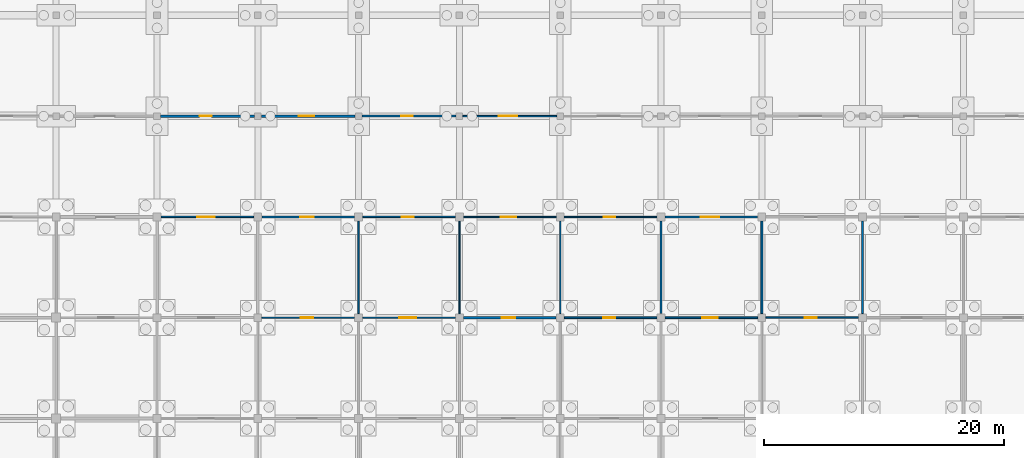
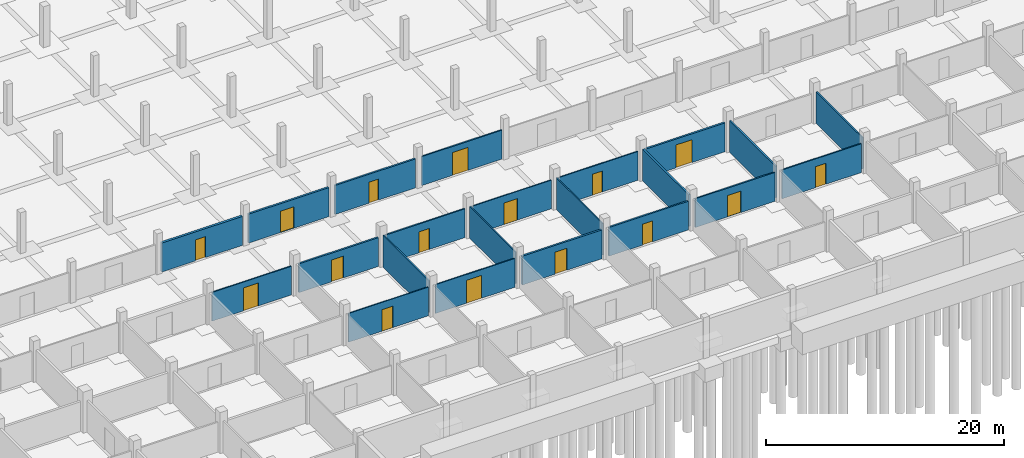
# One storey, part 23 of 43: 22 walls, 16 doors, 16 openings.
"""IFC4 building model written with IfcOpenShell, lengths in metres."""

from ifc_helpers import new_model, si_unit, direction, frame, frame_2d, origin, place, context, subcontext, project, spatial, rectangle, extrude, material, layer, layer_set, type_object, element, fill, save


model = new_model("IFC4")

# Units and contexts
model_context = context("Model", 3, precision=1e-05, world=origin(), true_north=direction((0.0, 1.0)))
body_context = subcontext(model_context, "Body", "Model", "MODEL_VIEW")
ifc_project = project(units=[si_unit("LENGTHUNIT", "METRE"), si_unit("AREAUNIT", "SQUARE_METRE"), si_unit("VOLUMEUNIT", "CUBIC_METRE"), si_unit("PLANEANGLEUNIT", "RADIAN"), si_unit("MASSUNIT", "GRAM", prefix="KILO")], contexts=[model_context])

# Site, building, storey
site_placement = place(None, origin())
site = spatial("IfcSite", under=ifc_project, at=site_placement, CompositionType="ELEMENT")
building_placement = place(site_placement, origin())
building = spatial("IfcBuilding", under=site, at=building_placement, Name="Varnapada Polytechnic", CompositionType="ELEMENT")
storey_placement = place(building_placement, frame((0.0, 0.0, -4.199951171875)))
storey = spatial("IfcBuildingStorey", under=building, at=storey_placement, Name="B1", CompositionType="ELEMENT", Elevation=-4.199951171875)

# Wall, opening, door
ifc_material_1 = material(Name="Gypsum Plasterboard Acoustic Partition")
ifc_layer_1 = layer(ifc_material_1, 0.125)
ifc_layer_set_1 = layer_set([ifc_layer_1], Name="Gypsum Plasterboard Acoustic Partition")
wall_type_1 = type_object("IfcWallType", Name="Interior Wall IW-03", PredefinedType="PARTITIONING", material=ifc_layer_set_1)
wall_1_placement = place(storey_placement, frame((109.544921875, 33.60009765625, 0.0), z_axis=(0.0, 0.0, 1.0), x_axis=(1.0, 0.0, 0.0)))
wall_1 = element("IfcWall", 1, at=wall_1_placement, inside=storey, type_object=wall_type_1, Name="B1 interior partition IW-B1-13-03-H", PredefinedType="PARTITIONING", context=body_context, shape_type="SweptSolid", body=[
    extrude(rectangle(XDim=7.7099609375, YDim=0.125, at=frame_2d((3.85498046875, 0.0))), origin(), (0.0, 0.0, 1.0), 2.949951171875),
])
opening_1_placement = place(wall_1_placement, frame((3.25, 0.0, 0.0)))
opening_1 = element("IfcOpeningElement", 2, at=opening_1_placement, cuts=wall_1, Name="Opening D-731", PredefinedType="OPENING", context=body_context, shape_type="SweptSolid", body=[
    extrude(rectangle(XDim=1.0, YDim=2.14990234375, at=frame_2d((0.5, 1.074951171875))), frame((0.0, 0.072509765625, 0.0), z_axis=(0.0, -1.0, 0.0), x_axis=(1.0, 0.0, 0.0)), (0.0, 0.0, 1.0), 0.14501953125),
])
ifc_material_2 = material(Name="Solid Teak Hardwood Timber", Category="wood")
door_type_1 = type_object("IfcDoorType", Name="Interior Door ID-02", OperationType="NOTDEFINED", PredefinedType="DOOR", material=ifc_material_2)
door_1_placement = place(opening_1_placement, frame((1.0, 0.0, 0.0), z_axis=(0.0, 0.0, 1.0), x_axis=(-1.0, 0.0, 0.0)))
door_1 = element("IfcDoor", 3, at=door_1_placement, inside=storey, type_object=door_type_1, Name="B1 interior room door D-731", OperationType="SINGLE_SWING_RIGHT", OverallHeight=2.14990234375, OverallWidth=1.0, PredefinedType="DOOR", context=body_context, shape_type="SweptSolid", body=[
    extrude(rectangle(XDim=1.0, YDim=2.14990234375, at=frame_2d((0.5, 1.074951171875))), frame((0.0, 0.02490234375, 0.0), z_axis=(0.0, -1.0, 0.0), x_axis=(1.0, 0.0, 0.0)), (0.0, 0.0, 1.0), 0.050048828125),
])
fill(opening_1, door_1)

ifc_material_3 = material(Name="Moisture-Resistant Cement Board Partition")
ifc_layer_2 = layer(ifc_material_3, 0.139892578125)
ifc_layer_set_2 = layer_set([ifc_layer_2], Name="Moisture-Resistant Cement Board Partition")
wall_type_2 = type_object("IfcWallType", Name="Interior Wall IW-04", PredefinedType="PARTITIONING", material=ifc_layer_set_2)
wall_2_placement = place(storey_placement, frame((101.14501953125, 33.60009765625, 0.0), z_axis=(0.0, 0.0, 1.0), x_axis=(1.0, 0.0, 0.0)))
wall_2 = element("IfcWall", 4, at=wall_2_placement, inside=storey, type_object=wall_type_2, Name="B1 interior partition IW-B1-12-03-H", PredefinedType="PARTITIONING", context=body_context, shape_type="SweptSolid", body=[
    extrude(rectangle(XDim=7.7099609375, YDim=0.139892578125, at=frame_2d((3.85498046875, 0.0))), origin(), (0.0, 0.0, 1.0), 2.949951171875),
])
opening_2_placement = place(wall_2_placement, frame((3.10009765625, 0.0, 0.0)))
opening_2 = element("IfcOpeningElement", 5, at=opening_2_placement, cuts=wall_2, Name="Opening D-723", PredefinedType="OPENING", context=body_context, shape_type="SweptSolid", body=[
    extrude(rectangle(XDim=1.300048828125, YDim=2.199951171875, at=frame_2d((0.64990234375, 1.10009765625))), frame((0.0, 0.079833984375, 0.0), z_axis=(0.0, -1.0, 0.0), x_axis=(1.0, 0.0, 0.0)), (0.0, 0.0, 1.0), 0.159912109375),
])
ifc_material_4 = material(Name="Acoustic Laminated Timber Leaf", Category="wood")
door_type_2 = type_object("IfcDoorType", Name="Interior Door ID-11", OperationType="NOTDEFINED", PredefinedType="DOOR", material=ifc_material_4)
door_2_placement = place(opening_2_placement, origin())
door_2 = element("IfcDoor", 6, at=door_2_placement, inside=storey, type_object=door_type_2, Name="B1 interior room door D-723", OperationType="SINGLE_SWING_RIGHT", OverallHeight=2.199951171875, OverallWidth=1.300048828125, PredefinedType="DOOR", context=body_context, shape_type="SweptSolid", body=[
    extrude(rectangle(XDim=1.300048828125, YDim=2.199951171875, at=frame_2d((0.64990234375, 1.10009765625))), frame((0.0, 0.02490234375, 0.0), z_axis=(0.0, -1.0, 0.0), x_axis=(1.0, 0.0, 0.0)), (0.0, 0.0, 1.0), 0.050048828125),
])
fill(opening_2, door_2)

# Wall
wall_3_placement = place(storey_placement, frame((117.60009765625, 33.945068359375, 0.0), z_axis=(0.0, 0.0, 1.0), x_axis=(0.0, 1.0, 0.0)))
element("IfcWall", 7, at=wall_3_placement, inside=storey, type_object=wall_type_2, Name="B1 interior partition IW-B1-13-04-V", PredefinedType="PARTITIONING", context=body_context, shape_type="SweptSolid", body=[
    extrude(rectangle(XDim=7.7099609375, YDim=0.139892578125, at=frame_2d((3.85498046875, 0.0))), origin(), (0.0, 0.0, 1.0), 3.25),
])

# Wall, opening, door
ifc_material_5 = material(Name="Cross-laminated timber CLT C24", Category="wood")
ifc_layer_3 = layer(ifc_material_5, 0.159912109375)
ifc_layer_set_3 = layer_set([ifc_layer_3], Name="Cross-laminated timber CLT C24")
wall_type_3 = type_object("IfcWallType", Name="Interior Wall IW-05", PredefinedType="PARTITIONING", material=ifc_layer_set_3)
wall_4_placement = place(storey_placement, frame((92.7451171875, 33.60009765625, 0.0), z_axis=(0.0, 0.0, 1.0), x_axis=(1.0, 0.0, 0.0)))
wall_4 = element("IfcWall", 8, at=wall_4_placement, inside=storey, type_object=wall_type_3, Name="B1 interior partition IW-B1-11-03-H", PredefinedType="PARTITIONING", context=body_context, shape_type="SweptSolid", body=[
    extrude(rectangle(XDim=7.7099609375, YDim=0.159912109375, at=frame_2d((3.85498046875, 0.0))), origin(), (0.0, 0.0, 1.0), 2.949951171875),
])
opening_3_placement = place(wall_4_placement, frame((3.25, 0.0, 0.0)))
opening_3 = element("IfcOpeningElement", 9, at=opening_3_placement, cuts=wall_4, Name="Opening D-714", PredefinedType="OPENING", context=body_context, shape_type="SweptSolid", body=[
    extrude(rectangle(XDim=1.0, YDim=2.14990234375, at=frame_2d((0.5, 1.074951171875))), frame((0.0, 0.08984375, 0.0), z_axis=(0.0, -1.0, 0.0), x_axis=(1.0, 0.0, 0.0)), (0.0, 0.0, 1.0), 0.179931640625),
])
door_3_placement = place(opening_3_placement, origin())
door_3 = element("IfcDoor", 10, at=door_3_placement, inside=storey, type_object=door_type_1, Name="B1 interior room door D-714", OperationType="SINGLE_SWING_LEFT", OverallHeight=2.14990234375, OverallWidth=1.0, PredefinedType="DOOR", context=body_context, shape_type="SweptSolid", body=[
    extrude(rectangle(XDim=1.0, YDim=2.14990234375, at=frame_2d((0.5, 1.074951171875))), frame((0.0, 0.02490234375, 0.0), z_axis=(0.0, -1.0, 0.0), x_axis=(1.0, 0.0, 0.0)), (0.0, 0.0, 1.0), 0.050048828125),
])
fill(opening_3, door_3)

# Wall
wall_5_placement = place(storey_placement, frame((109.199951171875, 33.945068359375, 0.0), z_axis=(0.0, 0.0, 1.0), x_axis=(0.0, 1.0, 0.0)))
element("IfcWall", 11, at=wall_5_placement, inside=storey, type_object=wall_type_3, Name="B1 interior partition IW-B1-12-04-V", PredefinedType="PARTITIONING", context=body_context, shape_type="SweptSolid", body=[
    extrude(rectangle(XDim=7.7099609375, YDim=0.159912109375, at=frame_2d((3.85498046875, 0.0))), origin(), (0.0, 0.0, 1.0), 3.25),
])

# Wall, opening, door
ifc_material_6 = material(Name="Acoustic Double-Stud Studio Partition")
ifc_layer_4 = layer(ifc_material_6, 0.179931640625)
ifc_layer_set_4 = layer_set([ifc_layer_4], Name="Acoustic Double-Stud Studio Partition")
wall_type_4 = type_object("IfcWallType", Name="Interior Wall IW-06", PredefinedType="PARTITIONING", material=ifc_layer_set_4)
wall_6_placement = place(storey_placement, frame((84.344970703125, 33.60009765625, 0.0), z_axis=(0.0, 0.0, 1.0), x_axis=(1.0, 0.0, 0.0)))
wall_6 = element("IfcWall", 12, at=wall_6_placement, inside=storey, type_object=wall_type_4, Name="B1 interior partition IW-B1-10-03-H", PredefinedType="PARTITIONING", context=body_context, shape_type="SweptSolid", body=[
    extrude(rectangle(XDim=7.7099609375, YDim=0.179931640625, at=frame_2d((3.85498046875, 0.0))), origin(), (0.0, 0.0, 1.0), 2.949951171875),
])
opening_4_placement = place(wall_6_placement, frame((3.175048828125, 0.0, 0.0)))
opening_4 = element("IfcOpeningElement", 13, at=opening_4_placement, cuts=wall_6, Name="Opening D-705", PredefinedType="OPENING", context=body_context, shape_type="SweptSolid", body=[
    extrude(rectangle(XDim=1.14990234375, YDim=2.25, at=frame_2d((0.574951171875, 1.125))), frame((0.0, 0.099853515625, 0.0), z_axis=(0.0, -1.0, 0.0), x_axis=(1.0, 0.0, 0.0)), (0.0, 0.0, 1.0), 0.199951171875),
])
ifc_material_7 = material(Name="Powder-Coated Aluminium 6063-T6", Category="aluminium")
door_type_3 = type_object("IfcDoorType", Name="Interior Door ID-10", OperationType="NOTDEFINED", PredefinedType="DOOR", material=ifc_material_7)
door_4_placement = place(opening_4_placement, origin())
door_4 = element("IfcDoor", 14, at=door_4_placement, inside=storey, type_object=door_type_3, Name="B1 interior room door D-705", OperationType="SINGLE_SWING_RIGHT", OverallHeight=2.25, OverallWidth=1.14990234375, PredefinedType="DOOR", context=body_context, shape_type="SweptSolid", body=[
    extrude(rectangle(XDim=1.14990234375, YDim=2.25, at=frame_2d((0.574951171875, 1.125))), frame((0.0, 0.02490234375, 0.0), z_axis=(0.0, -1.0, 0.0), x_axis=(1.0, 0.0, 0.0)), (0.0, 0.0, 1.0), 0.050048828125),
])
fill(opening_4, door_4)

# Wall
wall_7_placement = place(storey_placement, frame((100.800048828125, 33.945068359375, 0.0), z_axis=(0.0, 0.0, 1.0), x_axis=(0.0, 1.0, 0.0)))
element("IfcWall", 15, at=wall_7_placement, inside=storey, type_object=wall_type_4, Name="B1 interior partition IW-B1-11-04-V", PredefinedType="PARTITIONING", context=body_context, shape_type="SweptSolid", body=[
    extrude(rectangle(XDim=7.7099609375, YDim=0.179931640625, at=frame_2d((3.85498046875, 0.0))), origin(), (0.0, 0.0, 1.0), 3.25),
])

# Wall, opening, door
wall_8_placement = place(storey_placement, frame((101.14501953125, 42.0, 0.0), z_axis=(0.0, 0.0, 1.0), x_axis=(1.0, 0.0, 0.0)))
wall_8 = element("IfcWall", 16, at=wall_8_placement, inside=storey, type_object=wall_type_4, Name="B1 interior partition IW-B1-12-04-H", PredefinedType="PARTITIONING", context=body_context, shape_type="SweptSolid", body=[
    extrude(rectangle(XDim=7.7099609375, YDim=0.179931640625, at=frame_2d((3.85498046875, 0.0))), origin(), (0.0, 0.0, 1.0), 2.949951171875),
])
opening_5_placement = place(wall_8_placement, frame((2.97509765625, 0.0, 0.0)))
opening_5 = element("IfcOpeningElement", 17, at=opening_5_placement, cuts=wall_8, Name="Opening D-724", PredefinedType="OPENING", context=body_context, shape_type="SweptSolid", body=[
    extrude(rectangle(XDim=1.550048828125, YDim=2.35009765625, at=frame_2d((0.77490234375, 1.175048828125))), frame((0.0, 0.099853515625, 0.0), z_axis=(0.0, -1.0, 0.0), x_axis=(1.0, 0.0, 0.0)), (0.0, 0.0, 1.0), 0.199951171875),
])
ifc_material_8 = material(Name="Galvanized Steel Z275", Category="steel")
door_type_4 = type_object("IfcDoorType", Name="Interior Door ID-12", OperationType="NOTDEFINED", PredefinedType="DOOR", material=ifc_material_8)
door_5_placement = place(opening_5_placement, origin())
door_5 = element("IfcDoor", 18, at=door_5_placement, inside=storey, type_object=door_type_4, Name="B1 interior room door D-724", OperationType="SINGLE_SWING_LEFT", OverallHeight=2.35009765625, OverallWidth=1.550048828125, PredefinedType="DOOR", context=body_context, shape_type="SweptSolid", body=[
    extrude(rectangle(XDim=1.550048828125, YDim=2.35009765625, at=frame_2d((0.77490234375, 1.175048828125))), frame((0.0, 0.02490234375, 0.0), z_axis=(0.0, -1.0, 0.0), x_axis=(1.0, 0.0, 0.0)), (0.0, 0.0, 1.0), 0.050048828125),
])
fill(opening_5, door_5)

ifc_material_9 = material(Name="Glazed Timber-Framed Studio Screen", Category="wood")
ifc_layer_5 = layer(ifc_material_9, 0.110107421875)
ifc_layer_set_5 = layer_set([ifc_layer_5], Name="Glazed Timber-Framed Studio Screen")
wall_type_5 = type_object("IfcWallType", Name="Interior Wall IW-07", PredefinedType="PARTITIONING", material=ifc_layer_set_5)
wall_9_placement = place(storey_placement, frame((75.945068359375, 33.60009765625, 0.0), z_axis=(0.0, 0.0, 1.0), x_axis=(1.0, 0.0, 0.0)))
wall_9 = element("IfcWall", 19, at=wall_9_placement, inside=storey, type_object=wall_type_5, Name="B1 interior partition IW-B1-09-03-H", PredefinedType="PARTITIONING", context=body_context, shape_type="SweptSolid", body=[
    extrude(rectangle(XDim=7.7099609375, YDim=0.110107421875, at=frame_2d((3.85498046875, 0.0))), origin(), (0.0, 0.0, 1.0), 2.949951171875),
])
opening_6_placement = place(wall_9_placement, frame((3.02490234375, 0.0, 0.0)))
opening_6 = element("IfcOpeningElement", 20, at=opening_6_placement, cuts=wall_9, Name="Opening D-696", PredefinedType="OPENING", context=body_context, shape_type="SweptSolid", body=[
    extrude(rectangle(XDim=1.449951171875, YDim=2.35009765625, at=frame_2d((0.72509765625, 1.175048828125))), frame((0.0, 0.06494140625, 0.0), z_axis=(0.0, -1.0, 0.0), x_axis=(1.0, 0.0, 0.0)), (0.0, 0.0, 1.0), 0.130126953125),
])
door_type_5 = type_object("IfcDoorType", Name="Interior Door ID-18", OperationType="NOTDEFINED", PredefinedType="DOOR", material=ifc_material_8)
door_6_placement = place(opening_6_placement, origin())
door_6 = element("IfcDoor", 21, at=door_6_placement, inside=storey, type_object=door_type_5, Name="B1 interior room door D-696", OperationType="SINGLE_SWING_LEFT", OverallHeight=2.35009765625, OverallWidth=1.449951171875, PredefinedType="DOOR", context=body_context, shape_type="SweptSolid", body=[
    extrude(rectangle(XDim=1.449951171875, YDim=2.35009765625, at=frame_2d((0.72509765625, 1.175048828125))), frame((0.0, 0.02490234375, 0.0), z_axis=(0.0, -1.0, 0.0), x_axis=(1.0, 0.0, 0.0)), (0.0, 0.0, 1.0), 0.050048828125),
])
fill(opening_6, door_6)

# Wall
wall_10_placement = place(storey_placement, frame((92.39990234375, 33.945068359375, 0.0), z_axis=(0.0, 0.0, 1.0), x_axis=(0.0, 1.0, 0.0)))
element("IfcWall", 22, at=wall_10_placement, inside=storey, type_object=wall_type_5, Name="B1 interior partition IW-B1-10-04-V", PredefinedType="PARTITIONING", context=body_context, shape_type="SweptSolid", body=[
    extrude(rectangle(XDim=7.7099609375, YDim=0.110107421875, at=frame_2d((3.85498046875, 0.0))), origin(), (0.0, 0.0, 1.0), 3.25),
])

# Wall, opening, door
wall_11_placement = place(storey_placement, frame((92.7451171875, 42.0, 0.0), z_axis=(0.0, 0.0, 1.0), x_axis=(1.0, 0.0, 0.0)))
wall_11 = element("IfcWall", 23, at=wall_11_placement, inside=storey, type_object=wall_type_5, Name="B1 interior partition IW-B1-11-04-H", PredefinedType="PARTITIONING", context=body_context, shape_type="SweptSolid", body=[
    extrude(rectangle(XDim=7.7099609375, YDim=0.110107421875, at=frame_2d((3.85498046875, 0.0))), origin(), (0.0, 0.0, 1.0), 2.949951171875),
])
opening_7_placement = place(wall_11_placement, frame((3.27490234375, 0.0, 0.0)))
opening_7 = element("IfcOpeningElement", 24, at=opening_7_placement, cuts=wall_11, Name="Opening D-715", PredefinedType="OPENING", context=body_context, shape_type="SweptSolid", body=[
    extrude(rectangle(XDim=0.949951171875, YDim=2.14990234375, at=frame_2d((0.47509765625, 1.074951171875))), frame((0.0, 0.06494140625, 0.0), z_axis=(0.0, -1.0, 0.0), x_axis=(1.0, 0.0, 0.0)), (0.0, 0.0, 1.0), 0.130126953125),
])
ifc_material_10 = material(Name="Moisture-Resistant HPL Timber", Category="wood")
door_type_6 = type_object("IfcDoorType", Name="Interior Door ID-03", OperationType="NOTDEFINED", PredefinedType="DOOR", material=ifc_material_10)
door_7_placement = place(opening_7_placement, origin())
door_7 = element("IfcDoor", 25, at=door_7_placement, inside=storey, type_object=door_type_6, Name="B1 interior room door D-715", OperationType="SINGLE_SWING_RIGHT", OverallHeight=2.14990234375, OverallWidth=0.949951171875, PredefinedType="DOOR", context=body_context, shape_type="SweptSolid", body=[
    extrude(rectangle(XDim=0.949951171875, YDim=2.14990234375, at=frame_2d((0.47509765625, 1.074951171875))), frame((0.0, 0.02490234375, 0.0), z_axis=(0.0, -1.0, 0.0), x_axis=(1.0, 0.0, 0.0)), (0.0, 0.0, 1.0), 0.050048828125),
])
fill(opening_7, door_7)

ifc_material_11 = material(Name="Operable Acoustic Seminar Partition")
ifc_layer_6 = layer(ifc_material_11, 0.10009765625)
ifc_layer_set_6 = layer_set([ifc_layer_6], Name="Operable Acoustic Seminar Partition")
wall_type_6 = type_object("IfcWallType", Name="Interior Wall IW-08", PredefinedType="MOVABLE", material=ifc_layer_set_6)
wall_12_placement = place(storey_placement, frame((67.544921875, 33.60009765625, 0.0), z_axis=(0.0, 0.0, 1.0), x_axis=(1.0, 0.0, 0.0)))
wall_12 = element("IfcWall", 26, at=wall_12_placement, inside=storey, type_object=wall_type_6, Name="B1 interior partition IW-B1-08-03-H", PredefinedType="MOVABLE", context=body_context, shape_type="SweptSolid", body=[
    extrude(rectangle(XDim=7.7099609375, YDim=0.10009765625, at=frame_2d((3.85498046875, 0.0))), origin(), (0.0, 0.0, 1.0), 2.949951171875),
])
opening_8_placement = place(wall_12_placement, frame((3.22509765625, 0.0, 0.0)))
opening_8 = element("IfcOpeningElement", 27, at=opening_8_placement, cuts=wall_12, Name="Opening D-687", PredefinedType="OPENING", context=body_context, shape_type="SweptSolid", body=[
    extrude(rectangle(XDim=1.050048828125, YDim=2.199951171875, at=frame_2d((0.52490234375, 1.10009765625))), frame((0.0, 0.06005859375, 0.0), z_axis=(0.0, -1.0, 0.0), x_axis=(1.0, 0.0, 0.0)), (0.0, 0.0, 1.0), 0.1201171875),
])
door_type_7 = type_object("IfcDoorType", Name="Interior Door ID-09", OperationType="NOTDEFINED", PredefinedType="DOOR", material=ifc_material_2)
door_8_placement = place(opening_8_placement, origin())
door_8 = element("IfcDoor", 28, at=door_8_placement, inside=storey, type_object=door_type_7, Name="B1 interior room door D-687", OperationType="SINGLE_SWING_RIGHT", OverallHeight=2.199951171875, OverallWidth=1.050048828125, PredefinedType="DOOR", context=body_context, shape_type="SweptSolid", body=[
    extrude(rectangle(XDim=1.050048828125, YDim=2.199951171875, at=frame_2d((0.52490234375, 1.10009765625))), frame((0.0, 0.02490234375, 0.0), z_axis=(0.0, -1.0, 0.0), x_axis=(1.0, 0.0, 0.0)), (0.0, 0.0, 1.0), 0.050048828125),
])
fill(opening_8, door_8)

# Wall
wall_13_placement = place(storey_placement, frame((84.0, 33.945068359375, 0.0), z_axis=(0.0, 0.0, 1.0), x_axis=(0.0, 1.0, 0.0)))
element("IfcWall", 29, at=wall_13_placement, inside=storey, type_object=wall_type_6, Name="B1 interior partition IW-B1-09-04-V", PredefinedType="MOVABLE", context=body_context, shape_type="SweptSolid", body=[
    extrude(rectangle(XDim=7.7099609375, YDim=0.10009765625, at=frame_2d((3.85498046875, 0.0))), origin(), (0.0, 0.0, 1.0), 3.25),
])

# Wall, opening, door
wall_14_placement = place(storey_placement, frame((84.344970703125, 42.0, 0.0), z_axis=(0.0, 0.0, 1.0), x_axis=(1.0, 0.0, 0.0)))
wall_14 = element("IfcWall", 30, at=wall_14_placement, inside=storey, type_object=wall_type_6, Name="B1 interior partition IW-B1-10-04-H", PredefinedType="MOVABLE", context=body_context, shape_type="SweptSolid", body=[
    extrude(rectangle(XDim=7.7099609375, YDim=0.10009765625, at=frame_2d((3.85498046875, 0.0))), origin(), (0.0, 0.0, 1.0), 2.949951171875),
])
opening_9_placement = place(wall_14_placement, frame((3.10009765625, 0.0, 0.0)))
opening_9 = element("IfcOpeningElement", 31, at=opening_9_placement, cuts=wall_14, Name="Opening D-706", PredefinedType="OPENING", context=body_context, shape_type="SweptSolid", body=[
    extrude(rectangle(XDim=1.300048828125, YDim=2.199951171875, at=frame_2d((0.64990234375, 1.10009765625))), frame((0.0, 0.06005859375, 0.0), z_axis=(0.0, -1.0, 0.0), x_axis=(1.0, 0.0, 0.0)), (0.0, 0.0, 1.0), 0.1201171875),
])
door_9_placement = place(opening_9_placement, origin())
door_9 = element("IfcDoor", 32, at=door_9_placement, inside=storey, type_object=door_type_2, Name="B1 interior room door D-706", OperationType="SINGLE_SWING_LEFT", OverallHeight=2.199951171875, OverallWidth=1.300048828125, PredefinedType="DOOR", context=body_context, shape_type="SweptSolid", body=[
    extrude(rectangle(XDim=1.300048828125, YDim=2.199951171875, at=frame_2d((0.64990234375, 1.10009765625))), frame((0.0, 0.02490234375, 0.0), z_axis=(0.0, -1.0, 0.0), x_axis=(1.0, 0.0, 0.0)), (0.0, 0.0, 1.0), 0.050048828125),
])
fill(opening_9, door_9)

# Wall
ifc_material_12 = material(Name="Calcium Silicate Acoustic Lab Partition")
ifc_layer_7 = layer(ifc_material_12, 0.135009765625)
ifc_layer_set_7 = layer_set([ifc_layer_7], Name="Calcium Silicate Acoustic Lab Partition")
wall_type_7 = type_object("IfcWallType", Name="Interior Wall IW-09", PredefinedType="PARTITIONING", material=ifc_layer_set_7)
wall_15_placement = place(storey_placement, frame((75.60009765625, 33.945068359375, 0.0), z_axis=(0.0, 0.0, 1.0), x_axis=(0.0, 1.0, 0.0)))
element("IfcWall", 33, at=wall_15_placement, inside=storey, type_object=wall_type_7, Name="B1 interior partition IW-B1-08-04-V", PredefinedType="PARTITIONING", context=body_context, shape_type="SweptSolid", body=[
    extrude(rectangle(XDim=7.7099609375, YDim=0.135009765625, at=frame_2d((3.85498046875, 0.0))), origin(), (0.0, 0.0, 1.0), 3.25),
])

# Wall, opening, door
wall_16_placement = place(storey_placement, frame((75.945068359375, 42.0, 0.0), z_axis=(0.0, 0.0, 1.0), x_axis=(1.0, 0.0, 0.0)))
wall_16 = element("IfcWall", 34, at=wall_16_placement, inside=storey, type_object=wall_type_7, Name="B1 interior partition IW-B1-09-04-H", PredefinedType="PARTITIONING", context=body_context, shape_type="SweptSolid", body=[
    extrude(rectangle(XDim=7.7099609375, YDim=0.135009765625, at=frame_2d((3.85498046875, 0.0))), origin(), (0.0, 0.0, 1.0), 2.949951171875),
])
opening_10_placement = place(wall_16_placement, frame((3.25, 0.0, 0.0)))
opening_10 = element("IfcOpeningElement", 35, at=opening_10_placement, cuts=wall_16, Name="Opening D-697", PredefinedType="OPENING", context=body_context, shape_type="SweptSolid", body=[
    extrude(rectangle(XDim=1.0, YDim=2.14990234375, at=frame_2d((0.5, 1.074951171875))), frame((0.0, 0.077392578125, 0.0), z_axis=(0.0, -1.0, 0.0), x_axis=(1.0, 0.0, 0.0)), (0.0, 0.0, 1.0), 0.155029296875),
])
door_10_placement = place(opening_10_placement, origin())
door_10 = element("IfcDoor", 36, at=door_10_placement, inside=storey, type_object=door_type_1, Name="B1 interior room door D-697", OperationType="SINGLE_SWING_RIGHT", OverallHeight=2.14990234375, OverallWidth=1.0, PredefinedType="DOOR", context=body_context, shape_type="SweptSolid", body=[
    extrude(rectangle(XDim=1.0, YDim=2.14990234375, at=frame_2d((0.5, 1.074951171875))), frame((0.0, 0.02490234375, 0.0), z_axis=(0.0, -1.0, 0.0), x_axis=(1.0, 0.0, 0.0)), (0.0, 0.0, 1.0), 0.050048828125),
])
fill(opening_10, door_10)

wall_17_placement = place(storey_placement, frame((84.294921875, 50.39990234375, 0.0), z_axis=(0.0, 0.0, 1.0), x_axis=(1.0, 0.0, 0.0)))
wall_17 = element("IfcWall", 37, at=wall_17_placement, inside=storey, type_object=wall_type_7, Name="B1 interior partition IW-B1-10-05-H", PredefinedType="PARTITIONING", context=body_context, shape_type="SweptSolid", body=[
    extrude(rectangle(XDim=7.81005859375, YDim=0.135009765625, at=frame_2d((3.905029296875, 0.0))), origin(), (0.0, 0.0, 1.0), 2.969970703125),
])
opening_11_placement = place(wall_17_placement, frame((2.97509765625, 0.0, 0.0)))
opening_11 = element("IfcOpeningElement", 38, at=opening_11_placement, cuts=wall_17, Name="Opening D-707", PredefinedType="OPENING", context=body_context, shape_type="SweptSolid", body=[
    extrude(rectangle(XDim=1.550048828125, YDim=2.35009765625, at=frame_2d((0.77490234375, 1.175048828125))), frame((0.0, 0.077392578125, 0.0), z_axis=(0.0, -1.0, 0.0), x_axis=(1.0, 0.0, 0.0)), (0.0, 0.0, 1.0), 0.155029296875),
])
door_11_placement = place(opening_11_placement, frame((1.550048828125, 0.0, 0.0), z_axis=(0.0, 0.0, 1.0), x_axis=(-1.0, 0.0, 0.0)))
door_11 = element("IfcDoor", 39, at=door_11_placement, inside=storey, type_object=door_type_4, Name="B1 interior room door D-707", OperationType="SINGLE_SWING_RIGHT", OverallHeight=2.35009765625, OverallWidth=1.550048828125, PredefinedType="DOOR", context=body_context, shape_type="SweptSolid", body=[
    extrude(rectangle(XDim=1.550048828125, YDim=2.35009765625, at=frame_2d((0.77490234375, 1.175048828125))), frame((0.0, 0.02490234375, 0.0), z_axis=(0.0, -1.0, 0.0), x_axis=(1.0, 0.0, 0.0)), (0.0, 0.0, 1.0), 0.050048828125),
])
fill(opening_11, door_11)

ifc_material_13 = material(Name="Double-Layer Fireboard Workshop Wall")
ifc_layer_8 = layer(ifc_material_13, 0.169921875)
ifc_layer_set_8 = layer_set([ifc_layer_8], Name="Double-Layer Fireboard Workshop Wall")
wall_type_8 = type_object("IfcWallType", Name="Interior Wall IW-10", PredefinedType="PARTITIONING", material=ifc_layer_set_8)
wall_18_placement = place(storey_placement, frame((67.544921875, 42.0, 0.0), z_axis=(0.0, 0.0, 1.0), x_axis=(1.0, 0.0, 0.0)))
wall_18 = element("IfcWall", 40, at=wall_18_placement, inside=storey, type_object=wall_type_8, Name="B1 interior partition IW-B1-08-04-H", PredefinedType="PARTITIONING", context=body_context, shape_type="SweptSolid", body=[
    extrude(rectangle(XDim=7.7099609375, YDim=0.169921875, at=frame_2d((3.85498046875, 0.0))), origin(), (0.0, 0.0, 1.0), 2.949951171875),
])
opening_12_placement = place(wall_18_placement, frame((3.175048828125, 0.0, 0.0)))
opening_12 = element("IfcOpeningElement", 41, at=opening_12_placement, cuts=wall_18, Name="Opening D-688", PredefinedType="OPENING", context=body_context, shape_type="SweptSolid", body=[
    extrude(rectangle(XDim=1.14990234375, YDim=2.25, at=frame_2d((0.574951171875, 1.125))), frame((0.0, 0.094970703125, 0.0), z_axis=(0.0, -1.0, 0.0), x_axis=(1.0, 0.0, 0.0)), (0.0, 0.0, 1.0), 0.18994140625),
])
door_12_placement = place(opening_12_placement, origin())
door_12 = element("IfcDoor", 42, at=door_12_placement, inside=storey, type_object=door_type_3, Name="B1 interior room door D-688", OperationType="SINGLE_SWING_LEFT", OverallHeight=2.25, OverallWidth=1.14990234375, PredefinedType="DOOR", context=body_context, shape_type="SweptSolid", body=[
    extrude(rectangle(XDim=1.14990234375, YDim=2.25, at=frame_2d((0.574951171875, 1.125))), frame((0.0, 0.02490234375, 0.0), z_axis=(0.0, -1.0, 0.0), x_axis=(1.0, 0.0, 0.0)), (0.0, 0.0, 1.0), 0.050048828125),
])
fill(opening_12, door_12)

wall_19_placement = place(storey_placement, frame((75.89501953125, 50.39990234375, 0.0), z_axis=(0.0, 0.0, 1.0), x_axis=(1.0, 0.0, 0.0)))
wall_19 = element("IfcWall", 43, at=wall_19_placement, inside=storey, type_object=wall_type_8, Name="B1 interior partition IW-B1-09-05-H", PredefinedType="PARTITIONING", context=body_context, shape_type="SweptSolid", body=[
    extrude(rectangle(XDim=7.81005859375, YDim=0.169921875, at=frame_2d((3.905029296875, 0.0))), origin(), (0.0, 0.0, 1.0), 2.969970703125),
])
opening_13_placement = place(wall_19_placement, frame((3.27490234375, 0.0, 0.0)))
opening_13 = element("IfcOpeningElement", 44, at=opening_13_placement, cuts=wall_19, Name="Opening D-698", PredefinedType="OPENING", context=body_context, shape_type="SweptSolid", body=[
    extrude(rectangle(XDim=0.949951171875, YDim=2.14990234375, at=frame_2d((0.47509765625, 1.074951171875))), frame((0.0, 0.094970703125, 0.0), z_axis=(0.0, -1.0, 0.0), x_axis=(1.0, 0.0, 0.0)), (0.0, 0.0, 1.0), 0.18994140625),
])
door_13_placement = place(opening_13_placement, frame((0.949951171875, 0.0, 0.0), z_axis=(0.0, 0.0, 1.0), x_axis=(-1.0, 0.0, 0.0)))
door_13 = element("IfcDoor", 45, at=door_13_placement, inside=storey, type_object=door_type_6, Name="B1 interior room door D-698", OperationType="SINGLE_SWING_LEFT", OverallHeight=2.14990234375, OverallWidth=0.949951171875, PredefinedType="DOOR", context=body_context, shape_type="SweptSolid", body=[
    extrude(rectangle(XDim=0.949951171875, YDim=2.14990234375, at=frame_2d((0.47509765625, 1.074951171875))), frame((0.0, 0.02490234375, 0.0), z_axis=(0.0, -1.0, 0.0), x_axis=(1.0, 0.0, 0.0)), (0.0, 0.0, 1.0), 0.050048828125),
])
fill(opening_13, door_13)

ifc_material_14 = material(Name="Insulated Masonry Plant Room Wall", Category="masonry")
ifc_layer_9 = layer(ifc_material_14, 0.18994140625)
ifc_layer_set_9 = layer_set([ifc_layer_9], Name="Insulated Masonry Plant Room Wall")
wall_type_9 = type_object("IfcWallType", Name="Interior Wall IW-11", PredefinedType="PARTITIONING", material=ifc_layer_set_9)
wall_20_placement = place(storey_placement, frame((67.4951171875, 50.39990234375, 0.0), z_axis=(0.0, 0.0, 1.0), x_axis=(1.0, 0.0, 0.0)))
wall_20 = element("IfcWall", 46, at=wall_20_placement, inside=storey, type_object=wall_type_9, Name="B1 interior partition IW-B1-08-05-H", PredefinedType="PARTITIONING", context=body_context, shape_type="SweptSolid", body=[
    extrude(rectangle(XDim=7.809814453125, YDim=0.18994140625, at=frame_2d((3.90478515625, 0.0))), origin(), (0.0, 0.0, 1.0), 2.969970703125),
])
opening_14_placement = place(wall_20_placement, frame((3.10009765625, 0.0, 0.0)))
opening_14 = element("IfcOpeningElement", 47, at=opening_14_placement, cuts=wall_20, Name="Opening D-689", PredefinedType="OPENING", context=body_context, shape_type="SweptSolid", body=[
    extrude(rectangle(XDim=1.300048828125, YDim=2.199951171875, at=frame_2d((0.64990234375, 1.10009765625))), frame((0.0, 0.10498046875, 0.0), z_axis=(0.0, -1.0, 0.0), x_axis=(1.0, 0.0, 0.0)), (0.0, 0.0, 1.0), 0.2099609375),
])
door_14_placement = place(opening_14_placement, frame((1.300048828125, 0.0, 0.0), z_axis=(0.0, 0.0, 1.0), x_axis=(-1.0, 0.0, 0.0)))
door_14 = element("IfcDoor", 48, at=door_14_placement, inside=storey, type_object=door_type_2, Name="B1 interior room door D-689", OperationType="SINGLE_SWING_RIGHT", OverallHeight=2.199951171875, OverallWidth=1.300048828125, PredefinedType="DOOR", context=body_context, shape_type="SweptSolid", body=[
    extrude(rectangle(XDim=1.300048828125, YDim=2.199951171875, at=frame_2d((0.64990234375, 1.10009765625))), frame((0.0, 0.02490234375, 0.0), z_axis=(0.0, -1.0, 0.0), x_axis=(1.0, 0.0, 0.0)), (0.0, 0.0, 1.0), 0.050048828125),
])
fill(opening_14, door_14)

ifc_material_15 = material(Name="Timber-Stud Studio Critique Partition", Category="wood")
ifc_layer_10 = layer(ifc_material_15, 0.114990234375)
ifc_layer_set_10 = layer_set([ifc_layer_10], Name="Timber-Stud Studio Critique Partition")
wall_type_10 = type_object("IfcWallType", Name="Interior Wall IW-12", PredefinedType="PARTITIONING", material=ifc_layer_set_10)
wall_21_placement = place(storey_placement, frame((59.14501953125, 42.0, 0.0), z_axis=(0.0, 0.0, 1.0), x_axis=(1.0, 0.0, 0.0)))
wall_21 = element("IfcWall", 49, at=wall_21_placement, inside=storey, type_object=wall_type_10, Name="B1 interior partition IW-B1-07-04-H", PredefinedType="PARTITIONING", context=body_context, shape_type="SweptSolid", body=[
    extrude(rectangle(XDim=7.7099609375, YDim=0.114990234375, at=frame_2d((3.85498046875, 0.0))), origin(), (0.0, 0.0, 1.0), 2.949951171875),
])
opening_15_placement = place(wall_21_placement, frame((3.02490234375, 0.0, 0.0)))
opening_15 = element("IfcOpeningElement", 50, at=opening_15_placement, cuts=wall_21, Name="Opening D-679", PredefinedType="OPENING", context=body_context, shape_type="SweptSolid", body=[
    extrude(rectangle(XDim=1.449951171875, YDim=2.35009765625, at=frame_2d((0.72509765625, 1.175048828125))), frame((0.0, 0.0673828125, 0.0), z_axis=(0.0, -1.0, 0.0), x_axis=(1.0, 0.0, 0.0)), (0.0, 0.0, 1.0), 0.135009765625),
])
door_15_placement = place(opening_15_placement, origin())
door_15 = element("IfcDoor", 51, at=door_15_placement, inside=storey, type_object=door_type_5, Name="B1 interior room door D-679", OperationType="SINGLE_SWING_RIGHT", OverallHeight=2.35009765625, OverallWidth=1.449951171875, PredefinedType="DOOR", context=body_context, shape_type="SweptSolid", body=[
    extrude(rectangle(XDim=1.449951171875, YDim=2.35009765625, at=frame_2d((0.72509765625, 1.175048828125))), frame((0.0, 0.02490234375, 0.0), z_axis=(0.0, -1.0, 0.0), x_axis=(1.0, 0.0, 0.0)), (0.0, 0.0, 1.0), 0.050048828125),
])
fill(opening_15, door_15)

ifc_material_16 = material(Name="Heavy Acoustic Auditorium Baffle Wall")
ifc_layer_11 = layer(ifc_material_16, 0.219970703125)
ifc_layer_set_11 = layer_set([ifc_layer_11], Name="Heavy Acoustic Auditorium Baffle Wall")
wall_type_11 = type_object("IfcWallType", Name="Interior Wall IW-13", PredefinedType="PARTITIONING", material=ifc_layer_set_11)
wall_22_placement = place(storey_placement, frame((59.094970703125, 50.39990234375, 0.0), z_axis=(0.0, 0.0, 1.0), x_axis=(1.0, 0.0, 0.0)))
wall_22 = element("IfcWall", 52, at=wall_22_placement, inside=storey, type_object=wall_type_11, Name="B1 interior partition IW-B1-07-05-H", PredefinedType="PARTITIONING", context=body_context, shape_type="SweptSolid", body=[
    extrude(rectangle(XDim=7.81005859375, YDim=0.219970703125, at=frame_2d((3.905029296875, 0.0))), origin(), (0.0, 0.0, 1.0), 2.969970703125),
])
opening_16_placement = place(wall_22_placement, frame((3.25, 0.0, 0.0)))
opening_16 = element("IfcOpeningElement", 53, at=opening_16_placement, cuts=wall_22, Name="Opening D-680", PredefinedType="OPENING", context=body_context, shape_type="SweptSolid", body=[
    extrude(rectangle(XDim=1.0, YDim=2.14990234375, at=frame_2d((0.5, 1.074951171875))), frame((0.0, 0.119873046875, 0.0), z_axis=(0.0, -1.0, 0.0), x_axis=(1.0, 0.0, 0.0)), (0.0, 0.0, 1.0), 0.239990234375),
])
door_16_placement = place(opening_16_placement, frame((1.0, 0.0, 0.0), z_axis=(0.0, 0.0, 1.0), x_axis=(-1.0, 0.0, 0.0)))
door_16 = element("IfcDoor", 54, at=door_16_placement, inside=storey, type_object=door_type_1, Name="B1 interior room door D-680", OperationType="SINGLE_SWING_LEFT", OverallHeight=2.14990234375, OverallWidth=1.0, PredefinedType="DOOR", context=body_context, shape_type="SweptSolid", body=[
    extrude(rectangle(XDim=1.0, YDim=2.14990234375, at=frame_2d((0.5, 1.074951171875))), frame((0.0, 0.02490234375, 0.0), z_axis=(0.0, -1.0, 0.0), x_axis=(1.0, 0.0, 0.0)), (0.0, 0.0, 1.0), 0.050048828125),
])
fill(opening_16, door_16)

save(model, "model.ifc")
